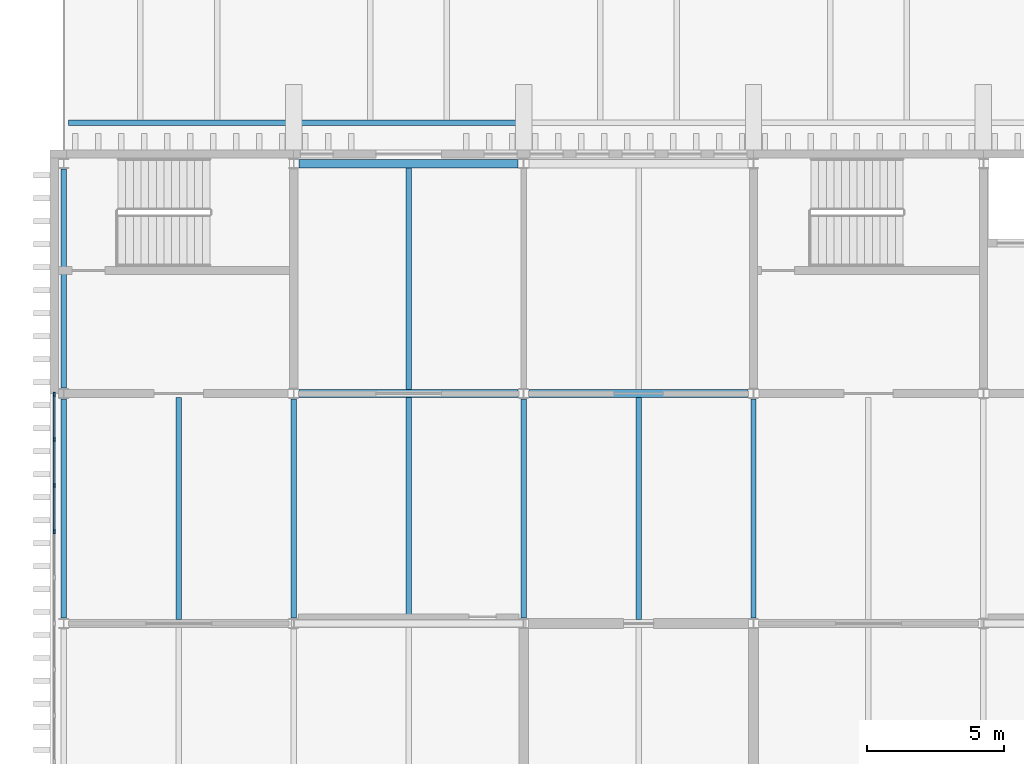
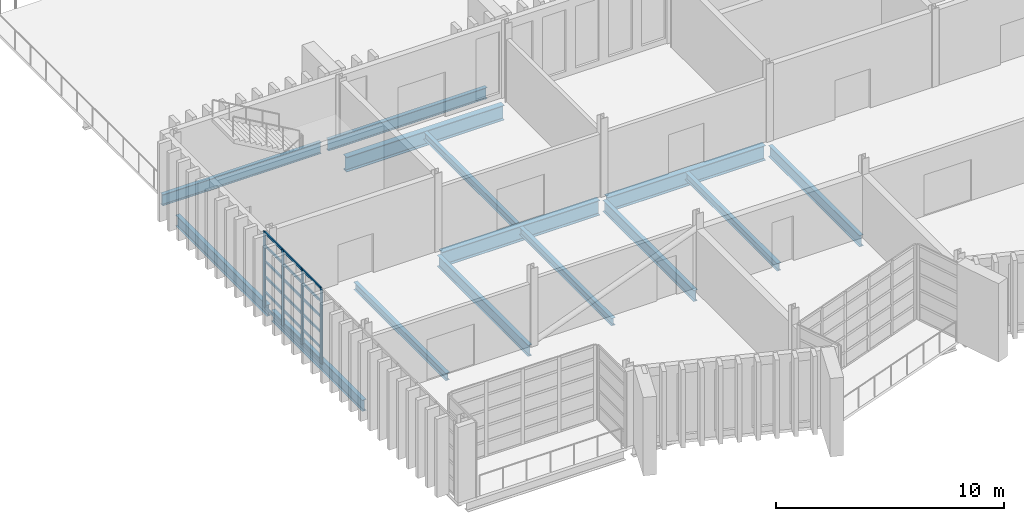
# One storey, part 16 of 96: 22 members, 14 beams, 1 element without a shape of its own.
"""IFC4 building model written with IfcOpenShell, lengths in metres."""

from ifc_helpers import new_model, si_unit, direction, frame, origin, origin_2d, place, context, subcontext, project, spatial, rectangle, i_section, extrude, material, layer, layer_set, material_profile, profile_set, type_object, element, aggregate, save


model = new_model("IFC4")

# Units and contexts
model_context = context("Model", 3, precision=1e-05, world=origin(), true_north=direction((0.0, 1.0)))
body_context = subcontext(model_context, "Body", "Model", "MODEL_VIEW")
ifc_project = project(units=[si_unit("LENGTHUNIT", "METRE"), si_unit("AREAUNIT", "SQUARE_METRE"), si_unit("VOLUMEUNIT", "CUBIC_METRE"), si_unit("PLANEANGLEUNIT", "RADIAN"), si_unit("MASSUNIT", "GRAM", prefix="KILO")], contexts=[model_context])

# Site, building, storey
site_placement = place(None, origin())
site = spatial("IfcSite", under=ifc_project, at=site_placement, CompositionType="ELEMENT")
building_placement = place(site_placement, origin())
building = spatial("IfcBuilding", under=site, at=building_placement, Name="Cresset Court Congress Hotel", CompositionType="ELEMENT")
storey_placement = place(building_placement, frame((0.0, 0.0, 6.0)))
storey = spatial("IfcBuildingStorey", under=building, at=storey_placement, Name="L01", CompositionType="ELEMENT", Elevation=6.0)

# Curtain wall, members
ifc_material_1 = material(Name="Aluminium frame with double glazing", Category="aluminium")
ifc_layer = layer(ifc_material_1, 0.199951171875)
ifc_layer_set = layer_set([ifc_layer], Name="Glazed box curtain wall 1680 module")
curtain_wall_type = type_object("IfcCurtainWallType", Name="Glazed box curtain wall 1680 module", PredefinedType="NOTDEFINED", material=ifc_layer_set)
curtain_wall_placement = place(storey_placement, origin())
curtain_wall = element("IfcCurtainWall", 1, at=curtain_wall_placement, inside=storey, type_object=curtain_wall_type, Name="Foyer glazed front L01", PredefinedType="NOTDEFINED")
ifc_material_2 = material(Name="Aluminium", Category="aluminium")
ifc_material_profile_1 = material_profile(ifc_material_2, rectangle(XDim=0.06005859375, YDim=0.159912109375, at=origin_2d()), Name="Box mullion 60x160")
ifc_profile_set_1 = profile_set([ifc_material_profile_1], Name="Aluminium")
member_type_1 = type_object("IfcMemberType", Name="Box mullion 60x160", PredefinedType="MULLION", material=ifc_profile_set_1)
member_1_placement = place(storey_placement, frame((8.050048828125, 11.760009765625, 0.0), z_axis=(0.0, 0.0, 1.0), x_axis=(-1.0, 0.0, 0.0)))
member_1 = element("IfcMember", 2, at=member_1_placement, type_object=member_type_1, Name="B-X1 mullion 8", PredefinedType="MULLION", context=body_context, shape_type="SweptSolid", body=[
    extrude(rectangle(XDim=0.06005859375, YDim=0.159912109375, at=origin_2d()), origin(), (0.0, 0.0, 1.0), 4.050048828125),
])
member_2_placement = place(storey_placement, frame((8.050048828125, 13.43994140625, 0.0), z_axis=(0.0, 0.0, 1.0), x_axis=(-1.0, 0.0, 0.0)))
member_2 = element("IfcMember", 3, at=member_2_placement, type_object=member_type_1, Name="B-X1 mullion 9", PredefinedType="MULLION", context=body_context, shape_type="SweptSolid", body=[
    extrude(rectangle(XDim=0.06005859375, YDim=0.159912109375, at=origin_2d()), origin(), (0.0, 0.0, 1.0), 4.050048828125),
])
member_3_placement = place(storey_placement, frame((8.050048828125, 15.1201171875, 0.0), z_axis=(0.0, 0.0, 1.0), x_axis=(-1.0, 0.0, 0.0)))
member_3 = element("IfcMember", 4, at=member_3_placement, type_object=member_type_1, Name="B-X1 mullion 10", PredefinedType="MULLION", context=body_context, shape_type="SweptSolid", body=[
    extrude(rectangle(XDim=0.06005859375, YDim=0.159912109375, at=origin_2d()), origin(), (0.0, 0.0, 1.0), 4.050048828125),
])
member_4_placement = place(storey_placement, frame((8.050048828125, 16.77001953125, 0.0), z_axis=(0.0, 0.0, 1.0), x_axis=(-1.0, 0.0, 0.0)))
member_4 = element("IfcMember", 5, at=member_4_placement, type_object=member_type_1, Name="B-X1 mullion 11", PredefinedType="MULLION", context=body_context, shape_type="SweptSolid", body=[
    extrude(rectangle(XDim=0.06005859375, YDim=0.159912109375, at=origin_2d()), origin(), (0.0, 0.0, 1.0), 4.050048828125),
])
ifc_material_3 = material(Name="Aluminium", Category="aluminium")
ifc_material_profile_2 = material_profile(ifc_material_3, rectangle(XDim=0.06005859375, YDim=0.1201171875, at=origin_2d()), Name="Box transom 60x120")
ifc_profile_set_2 = profile_set([ifc_material_profile_2], Name="Aluminium")
member_type_2 = type_object("IfcMemberType", Name="Box transom 60x120", PredefinedType="USERDEFINED", material=ifc_profile_set_2)
member_5_placement = place(storey_placement, frame((8.050048828125, 11.7900390625, 0.030029296875), z_axis=(0.0, 1.0, 0.0), x_axis=(-1.0, 0.0, 0.0)))
member_5 = element("IfcMember", 6, at=member_5_placement, type_object=member_type_2, Name="B-X1 transom 8.1", ObjectType="TRANSOM", PredefinedType="USERDEFINED", context=body_context, shape_type="SweptSolid", body=[
    extrude(rectangle(XDim=0.06005859375, YDim=0.1201171875, at=origin_2d()), origin(), (0.0, 0.0, 1.0), 1.619873046875),
])
member_6_placement = place(storey_placement, frame((8.050048828125, 11.7900390625, 0.830078125), z_axis=(0.0, 1.0, 0.0), x_axis=(-1.0, 0.0, 0.0)))
member_6 = element("IfcMember", 7, at=member_6_placement, type_object=member_type_2, Name="B-X1 transom 8.2", ObjectType="TRANSOM", PredefinedType="USERDEFINED", context=body_context, shape_type="SweptSolid", body=[
    extrude(rectangle(XDim=0.06005859375, YDim=0.1201171875, at=origin_2d()), origin(), (0.0, 0.0, 1.0), 1.619873046875),
])
member_7_placement = place(storey_placement, frame((8.050048828125, 11.7900390625, 1.659912109375), z_axis=(0.0, 1.0, 0.0), x_axis=(-1.0, 0.0, 0.0)))
member_7 = element("IfcMember", 8, at=member_7_placement, type_object=member_type_2, Name="B-X1 transom 8.3", ObjectType="TRANSOM", PredefinedType="USERDEFINED", context=body_context, shape_type="SweptSolid", body=[
    extrude(rectangle(XDim=0.06005859375, YDim=0.1201171875, at=origin_2d()), origin(), (0.0, 0.0, 1.0), 1.619873046875),
])
member_8_placement = place(storey_placement, frame((8.050048828125, 11.7900390625, 2.489990234375), z_axis=(0.0, 1.0, 0.0), x_axis=(-1.0, 0.0, 0.0)))
member_8 = element("IfcMember", 9, at=member_8_placement, type_object=member_type_2, Name="B-X1 transom 8.4", ObjectType="TRANSOM", PredefinedType="USERDEFINED", context=body_context, shape_type="SweptSolid", body=[
    extrude(rectangle(XDim=0.06005859375, YDim=0.1201171875, at=origin_2d()), origin(), (0.0, 0.0, 1.0), 1.619873046875),
])
member_9_placement = place(storey_placement, frame((8.050048828125, 11.7900390625, 3.320068359375), z_axis=(0.0, 1.0, 0.0), x_axis=(-1.0, 0.0, 0.0)))
member_9 = element("IfcMember", 10, at=member_9_placement, type_object=member_type_2, Name="B-X1 transom 8.5", ObjectType="TRANSOM", PredefinedType="USERDEFINED", context=body_context, shape_type="SweptSolid", body=[
    extrude(rectangle(XDim=0.06005859375, YDim=0.1201171875, at=origin_2d()), origin(), (0.0, 0.0, 1.0), 1.619873046875),
])
member_10_placement = place(storey_placement, frame((8.050048828125, 11.7900390625, 4.02001953125), z_axis=(0.0, 1.0, 0.0), x_axis=(-1.0, 0.0, 0.0)))
member_10 = element("IfcMember", 11, at=member_10_placement, type_object=member_type_2, Name="B-X1 transom 8.6", ObjectType="TRANSOM", PredefinedType="USERDEFINED", context=body_context, shape_type="SweptSolid", body=[
    extrude(rectangle(XDim=0.06005859375, YDim=0.1201171875, at=origin_2d()), origin(), (0.0, 0.0, 1.0), 1.619873046875),
])
member_11_placement = place(storey_placement, frame((8.050048828125, 13.469970703125, 0.030029296875), z_axis=(0.0, 1.0, 0.0), x_axis=(-1.0, 0.0, 0.0)))
member_11 = element("IfcMember", 12, at=member_11_placement, type_object=member_type_2, Name="B-X1 transom 9.1", ObjectType="TRANSOM", PredefinedType="USERDEFINED", context=body_context, shape_type="SweptSolid", body=[
    extrude(rectangle(XDim=0.06005859375, YDim=0.1201171875, at=origin_2d()), origin(), (0.0, 0.0, 1.0), 1.6201171875),
])
member_12_placement = place(storey_placement, frame((8.050048828125, 13.469970703125, 0.830078125), z_axis=(0.0, 1.0, 0.0), x_axis=(-1.0, 0.0, 0.0)))
member_12 = element("IfcMember", 13, at=member_12_placement, type_object=member_type_2, Name="B-X1 transom 9.2", ObjectType="TRANSOM", PredefinedType="USERDEFINED", context=body_context, shape_type="SweptSolid", body=[
    extrude(rectangle(XDim=0.06005859375, YDim=0.1201171875, at=origin_2d()), origin(), (0.0, 0.0, 1.0), 1.6201171875),
])
member_13_placement = place(storey_placement, frame((8.050048828125, 13.469970703125, 1.659912109375), z_axis=(0.0, 1.0, 0.0), x_axis=(-1.0, 0.0, 0.0)))
member_13 = element("IfcMember", 14, at=member_13_placement, type_object=member_type_2, Name="B-X1 transom 9.3", ObjectType="TRANSOM", PredefinedType="USERDEFINED", context=body_context, shape_type="SweptSolid", body=[
    extrude(rectangle(XDim=0.06005859375, YDim=0.1201171875, at=origin_2d()), origin(), (0.0, 0.0, 1.0), 1.6201171875),
])
member_14_placement = place(storey_placement, frame((8.050048828125, 13.469970703125, 2.489990234375), z_axis=(0.0, 1.0, 0.0), x_axis=(-1.0, 0.0, 0.0)))
member_14 = element("IfcMember", 15, at=member_14_placement, type_object=member_type_2, Name="B-X1 transom 9.4", ObjectType="TRANSOM", PredefinedType="USERDEFINED", context=body_context, shape_type="SweptSolid", body=[
    extrude(rectangle(XDim=0.06005859375, YDim=0.1201171875, at=origin_2d()), origin(), (0.0, 0.0, 1.0), 1.6201171875),
])
member_15_placement = place(storey_placement, frame((8.050048828125, 13.469970703125, 3.320068359375), z_axis=(0.0, 1.0, 0.0), x_axis=(-1.0, 0.0, 0.0)))
member_15 = element("IfcMember", 16, at=member_15_placement, type_object=member_type_2, Name="B-X1 transom 9.5", ObjectType="TRANSOM", PredefinedType="USERDEFINED", context=body_context, shape_type="SweptSolid", body=[
    extrude(rectangle(XDim=0.06005859375, YDim=0.1201171875, at=origin_2d()), origin(), (0.0, 0.0, 1.0), 1.6201171875),
])
member_16_placement = place(storey_placement, frame((8.050048828125, 13.469970703125, 4.02001953125), z_axis=(0.0, 1.0, 0.0), x_axis=(-1.0, 0.0, 0.0)))
member_16 = element("IfcMember", 17, at=member_16_placement, type_object=member_type_2, Name="B-X1 transom 9.6", ObjectType="TRANSOM", PredefinedType="USERDEFINED", context=body_context, shape_type="SweptSolid", body=[
    extrude(rectangle(XDim=0.06005859375, YDim=0.1201171875, at=origin_2d()), origin(), (0.0, 0.0, 1.0), 1.6201171875),
])
member_17_placement = place(storey_placement, frame((8.050048828125, 15.14990234375, 0.030029296875), z_axis=(0.0, 1.0, 0.0), x_axis=(-1.0, 0.0, 0.0)))
member_17 = element("IfcMember", 18, at=member_17_placement, type_object=member_type_2, Name="B-X1 transom 10.1", ObjectType="TRANSOM", PredefinedType="USERDEFINED", context=body_context, shape_type="SweptSolid", body=[
    extrude(rectangle(XDim=0.06005859375, YDim=0.1201171875, at=origin_2d()), origin(), (0.0, 0.0, 1.0), 1.590087890625),
])
member_18_placement = place(storey_placement, frame((8.050048828125, 15.14990234375, 0.830078125), z_axis=(0.0, 1.0, 0.0), x_axis=(-1.0, 0.0, 0.0)))
member_18 = element("IfcMember", 19, at=member_18_placement, type_object=member_type_2, Name="B-X1 transom 10.2", ObjectType="TRANSOM", PredefinedType="USERDEFINED", context=body_context, shape_type="SweptSolid", body=[
    extrude(rectangle(XDim=0.06005859375, YDim=0.1201171875, at=origin_2d()), origin(), (0.0, 0.0, 1.0), 1.590087890625),
])
member_19_placement = place(storey_placement, frame((8.050048828125, 15.14990234375, 1.659912109375), z_axis=(0.0, 1.0, 0.0), x_axis=(-1.0, 0.0, 0.0)))
member_19 = element("IfcMember", 20, at=member_19_placement, type_object=member_type_2, Name="B-X1 transom 10.3", ObjectType="TRANSOM", PredefinedType="USERDEFINED", context=body_context, shape_type="SweptSolid", body=[
    extrude(rectangle(XDim=0.06005859375, YDim=0.1201171875, at=origin_2d()), origin(), (0.0, 0.0, 1.0), 1.590087890625),
])
member_20_placement = place(storey_placement, frame((8.050048828125, 15.14990234375, 2.489990234375), z_axis=(0.0, 1.0, 0.0), x_axis=(-1.0, 0.0, 0.0)))
member_20 = element("IfcMember", 21, at=member_20_placement, type_object=member_type_2, Name="B-X1 transom 10.4", ObjectType="TRANSOM", PredefinedType="USERDEFINED", context=body_context, shape_type="SweptSolid", body=[
    extrude(rectangle(XDim=0.06005859375, YDim=0.1201171875, at=origin_2d()), origin(), (0.0, 0.0, 1.0), 1.590087890625),
])
member_21_placement = place(storey_placement, frame((8.050048828125, 15.14990234375, 3.320068359375), z_axis=(0.0, 1.0, 0.0), x_axis=(-1.0, 0.0, 0.0)))
member_21 = element("IfcMember", 22, at=member_21_placement, type_object=member_type_2, Name="B-X1 transom 10.5", ObjectType="TRANSOM", PredefinedType="USERDEFINED", context=body_context, shape_type="SweptSolid", body=[
    extrude(rectangle(XDim=0.06005859375, YDim=0.1201171875, at=origin_2d()), origin(), (0.0, 0.0, 1.0), 1.590087890625),
])
member_22_placement = place(storey_placement, frame((8.050048828125, 15.14990234375, 4.02001953125), z_axis=(0.0, 1.0, 0.0), x_axis=(-1.0, 0.0, 0.0)))
member_22 = element("IfcMember", 23, at=member_22_placement, type_object=member_type_2, Name="B-X1 transom 10.6", ObjectType="TRANSOM", PredefinedType="USERDEFINED", context=body_context, shape_type="SweptSolid", body=[
    extrude(rectangle(XDim=0.06005859375, YDim=0.1201171875, at=origin_2d()), origin(), (0.0, 0.0, 1.0), 1.590087890625),
])
aggregate(curtain_wall, [member_1, member_2, member_3, member_4, member_5, member_6, member_7, member_8, member_9, member_10, member_11, member_12, member_13, member_14, member_15, member_16, member_17, member_18, member_19, member_20, member_21, member_22])

# Beams
ifc_material_4 = material(Name="Structural steel Q355B", Category="steel")
ifc_material_profile_3 = material_profile(ifc_material_4, i_section(OverallWidth=0.199951171875, OverallDepth=0.60009765625, WebThickness=0.010986328125, FlangeThickness=0.01708984375, FilletRadius=0.012939453125, at=origin_2d()), Name="HN600x200x11x17")
ifc_profile_set_3 = profile_set([ifc_material_profile_3], Name="Structural steel Q355B")
beam_type_1 = type_object("IfcBeamType", Name="Steel beam HN600x200x11x17", PredefinedType="BEAM", material=ifc_profile_set_3)
beam_1_placement = place(storey_placement, frame((8.574951171875, 26.699951171875, -0.449951171875), z_axis=(1.0, 0.0, 0.0), x_axis=(0.0, 1.0, 0.0)))
element("IfcBeam", 24, at=beam_1_placement, inside=storey, type_object=beam_type_1, Name="S.dbm.L01.P001", PredefinedType="BEAM", context=body_context, shape_type="SweptSolid", body=[
    extrude(i_section(OverallWidth=0.199951171875, OverallDepth=0.60009765625, WebThickness=0.010986328125, FlangeThickness=0.01708984375, FilletRadius=0.012939453125, at=origin_2d()), origin(), (0.0, 0.0, 1.0), 8.050048828125),
])
beam_2_placement = place(storey_placement, frame((16.97509765625, 26.699951171875, -0.449951171875), z_axis=(1.0, 0.0, 0.0), x_axis=(0.0, 1.0, 0.0)))
element("IfcBeam", 25, at=beam_2_placement, inside=storey, type_object=beam_type_1, Name="S.dbm.L01.P002", PredefinedType="BEAM", context=body_context, shape_type="SweptSolid", body=[
    extrude(i_section(OverallWidth=0.199951171875, OverallDepth=0.60009765625, WebThickness=0.010986328125, FlangeThickness=0.01708984375, FilletRadius=0.012939453125, at=origin_2d()), origin(), (0.0, 0.0, 1.0), 8.0498046875),
])
for number, where, z_axis, x_axis, name in (
    (26, (8.39990234375, 8.60009765625, -0.449951171875), (0.0, 1.0, 0.0), (-1.0, 0.0, 0.0), "B.by.L01.02B"),
    (27, (8.39990234375, 17.0, -0.449951171875), (0.0, 1.0, 0.0), (-1.0, 0.0, 0.0), "B.by.L01.02C"),
    (28, (16.800048828125, 8.60009765625, -0.449951171875), (0.0, 1.0, 0.0), (-1.0, 0.0, 0.0), "B.by.L01.03B"),
    (29, (25.199951171875, 8.60009765625, -0.449951171875), (0.0, 1.0, 0.0), (-1.0, 0.0, 0.0), "B.by.L01.04B"),
    (30, (33.60009765625, 8.60009765625, -0.449951171875), (0.0, 1.0, 0.0), (-1.0, 0.0, 0.0), "B.by.L01.05B"),
):
    element("IfcBeam", number, at=place(storey_placement, frame(where, z_axis=z_axis, x_axis=x_axis)), inside=storey, type_object=beam_type_1, Name=name, PredefinedType="BEAM", context=body_context, shape_type="SweptSolid", body=[
        extrude(i_section(OverallWidth=0.199951171875, OverallDepth=0.60009765625, WebThickness=0.010986328125, FlangeThickness=0.01708984375, FilletRadius=0.012939453125, at=origin_2d()), origin(), (0.0, 0.0, 1.0), 8.0),
    ])
ifc_material_5 = material(Name="Structural steel Q355B", Category="steel")
ifc_material_profile_4 = material_profile(ifc_material_5, i_section(OverallWidth=0.300048828125, OverallDepth=0.800048828125, WebThickness=0.013916015625, FlangeThickness=0.02587890625, FilletRadius=0.01806640625, at=origin_2d()), Name="HN800x300x14x26")
ifc_profile_set_4 = profile_set([ifc_material_profile_4], Name="Structural steel Q355B")
beam_type_2 = type_object("IfcBeamType", Name="Steel beam HN800x300x14x26", PredefinedType="BEAM", material=ifc_profile_set_4)
for number, where, z_axis, x_axis, name in (
    (31, (17.0, 16.800048828125, -0.550048828125), (1.0, 0.0, 0.0), (0.0, 1.0, 0.0), "B.bx.L01.C03"),
    (32, (25.39990234375, 16.800048828125, -0.550048828125), (1.0, 0.0, 0.0), (0.0, 1.0, 0.0), "B.bx.L01.C04"),
    (33, (17.0, 25.199951171875, -0.550048828125), (1.0, 0.0, 0.0), (0.0, 1.0, 0.0), "B.bx.L01.D03"),
):
    element("IfcBeam", number, at=place(storey_placement, frame(where, z_axis=z_axis, x_axis=x_axis)), inside=storey, type_object=beam_type_2, Name=name, PredefinedType="BEAM", context=body_context, shape_type="SweptSolid", body=[
        extrude(i_section(OverallWidth=0.300048828125, OverallDepth=0.800048828125, WebThickness=0.013916015625, FlangeThickness=0.02587890625, FilletRadius=0.01806640625, at=origin_2d()), origin(), (0.0, 0.0, 1.0), 8.0),
    ])
ifc_material_6 = material(Name="Structural steel Q355B", Category="steel")
ifc_material_profile_5 = material_profile(ifc_material_6, i_section(OverallWidth=0.199951171875, OverallDepth=0.39990234375, WebThickness=0.008056640625, FlangeThickness=0.012939453125, FilletRadius=0.01611328125, at=origin_2d()), Name="HN400x200x8x13")
ifc_profile_set_5 = profile_set([ifc_material_profile_5], Name="Structural steel Q355B")
beam_type_3 = type_object("IfcBeamType", Name="Steel joist HN400x200x8x13", PredefinedType="JOIST", material=ifc_profile_set_5)
for number, where, z_axis, x_axis, name in (
    (34, (12.60009765625, 8.550048828125, -0.35009765625), (0.0, 1.0, 0.0), (-1.0, 0.0, 0.0), "B.bj.L01.02B"),
    (35, (21.0, 8.550048828125, -0.35009765625), (0.0, 1.0, 0.0), (-1.0, 0.0, 0.0), "B.bj.L01.03B"),
):
    element("IfcBeam", number, at=place(storey_placement, frame(where, z_axis=z_axis, x_axis=x_axis)), inside=storey, type_object=beam_type_3, Name=name, PredefinedType="JOIST", context=body_context, shape_type="SweptSolid", body=[
        extrude(i_section(OverallWidth=0.199951171875, OverallDepth=0.39990234375, WebThickness=0.008056640625, FlangeThickness=0.012939453125, FilletRadius=0.01611328125, at=origin_2d()), origin(), (0.0, 0.0, 1.0), 8.099853515625),
    ])
beam_3_placement = place(storey_placement, frame((21.0, 16.949951171875, -0.35009765625), z_axis=(0.0, 1.0, 0.0), x_axis=(-1.0, 0.0, 0.0)))
element("IfcBeam", 36, at=beam_3_placement, inside=storey, type_object=beam_type_3, Name="B.bj.L01.03C", PredefinedType="JOIST", context=body_context, shape_type="SweptSolid", body=[
    extrude(i_section(OverallWidth=0.199951171875, OverallDepth=0.39990234375, WebThickness=0.008056640625, FlangeThickness=0.012939453125, FilletRadius=0.01611328125, at=origin_2d()), origin(), (0.0, 0.0, 1.0), 8.10009765625),
])
beam_4_placement = place(storey_placement, frame((29.39990234375, 8.550048828125, -0.35009765625), z_axis=(0.0, 1.0, 0.0), x_axis=(-1.0, 0.0, 0.0)))
element("IfcBeam", 37, at=beam_4_placement, inside=storey, type_object=beam_type_3, Name="B.bj.L01.04B", PredefinedType="JOIST", context=body_context, shape_type="SweptSolid", body=[
    extrude(i_section(OverallWidth=0.199951171875, OverallDepth=0.39990234375, WebThickness=0.008056640625, FlangeThickness=0.012939453125, FilletRadius=0.01611328125, at=origin_2d()), origin(), (0.0, 0.0, 1.0), 8.099853515625),
])

save(model, "model.ifc")
